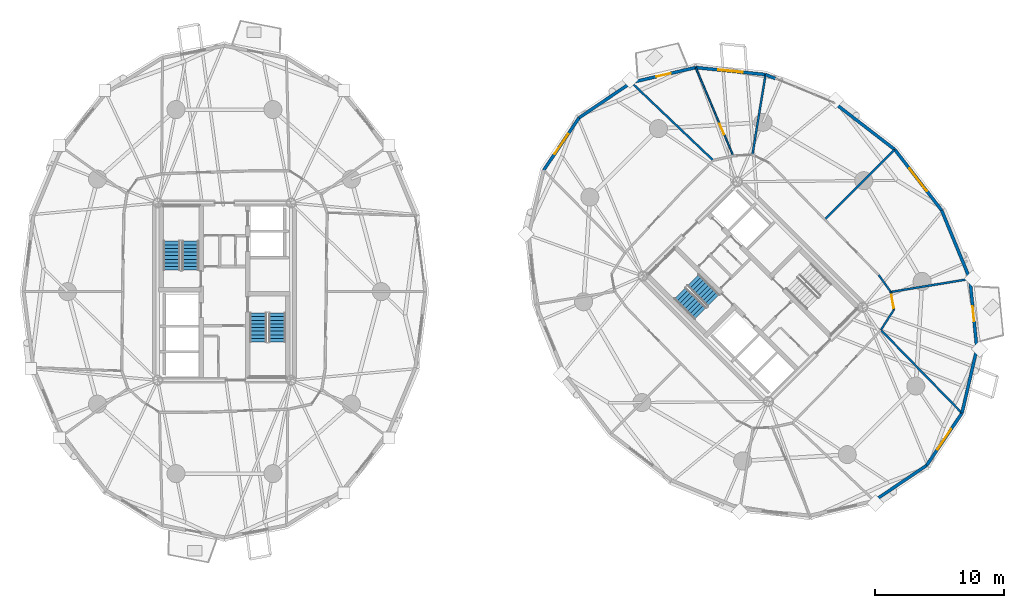
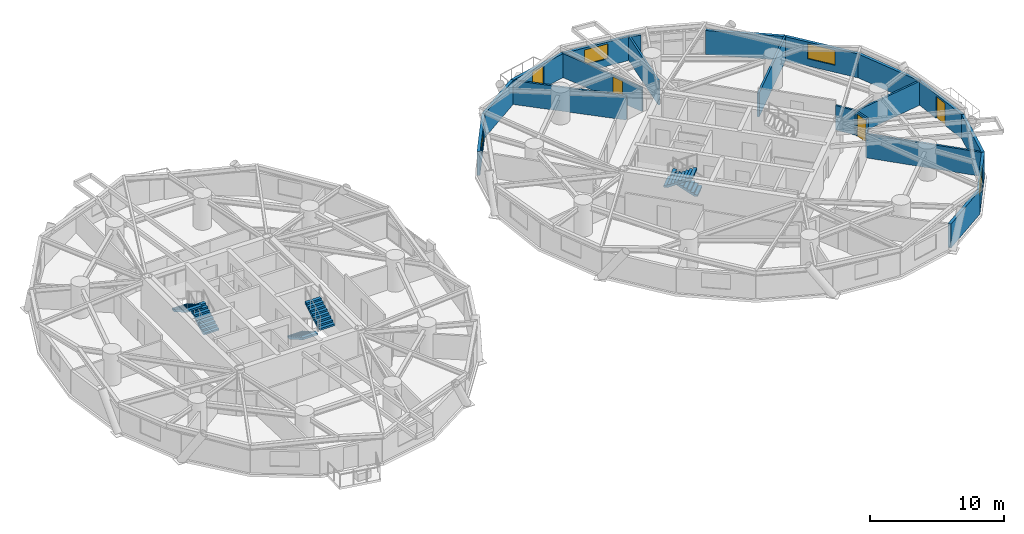
# One storey, part 15 of 19: 21 walls, 6 stair flights, 4 doors, 4 windows, 8 openings, 3 elements without a shape of their own.
"""IFC4 building model written with IfcOpenShell, lengths in metres."""

from ifc_helpers import new_model, si_unit, direction, frame, frame_2d, origin, place, context, subcontext, project, spatial, polyline, rectangle, outline, extrude, source, transform, mapped, material, layer, layer_set, type_object, element, fill, aggregate, save


model = new_model("IFC4")

# Units and contexts
model_context = context("Model", 3, precision=1e-05, world=origin(), true_north=direction((0.0, 1.0)))
body_context = subcontext(model_context, "Body", "Model", "MODEL_VIEW")
ifc_project = project(units=[si_unit("LENGTHUNIT", "METRE"), si_unit("AREAUNIT", "SQUARE_METRE"), si_unit("VOLUMEUNIT", "CUBIC_METRE"), si_unit("PLANEANGLEUNIT", "RADIAN"), si_unit("MASSUNIT", "GRAM", prefix="KILO")], contexts=[model_context])

# Site, building, storey
site_placement = place(None, origin())
site = spatial("IfcSite", under=ifc_project, at=site_placement, CompositionType="ELEMENT")
building_placement = place(site_placement, origin())
building = spatial("IfcBuilding", under=site, at=building_placement, Name="Cununo Teusaquillo Station Towers", CompositionType="ELEMENT")
storey_placement = place(building_placement, frame((0.0, 0.0, 84.699951171875)))
storey = spatial("IfcBuildingStorey", under=building, at=storey_placement, Name="L26", CompositionType="ELEMENT", Elevation=84.699951171875)

# Walls
ifc_material_1 = material(Name="Precast concrete C40/50", Category="concrete")
ifc_layer_1 = layer(ifc_material_1, 0.239990234375)
ifc_layer_set_1 = layer_set([ifc_layer_1], Name="Precast concrete C40/50")
wall_type_1 = type_object("IfcWallType", Name="WL-EXT-240", PredefinedType="SOLIDWALL", material=ifc_layer_set_1)
wall_1_placement = place(storey_placement, frame((63.811279296875, 39.145263671875, 0.0), z_axis=(0.0, 0.0, 1.0), x_axis=(0.791982052206, -0.61054437102, 0.0)))
element("IfcWall", 1, at=wall_1_placement, inside=storey, type_object=wall_type_1, Name="L26 Tower B Exterior Facade Wall C00", PredefinedType="SOLIDWALL", context=body_context, shape_type="SweptSolid", body=[
    extrude(rectangle(XDim=5.942138671875, YDim=0.239990234375, at=frame_2d((2.97119140625, 0.0))), origin(), (0.0, 0.0, 1.0), 2.178955078125),
])
wall_2_placement = place(storey_placement, frame((58.4873046875, 41.33935546875, 0.0), z_axis=(0.0, 0.0, 1.0), x_axis=(0.924556017656, -0.381046152345, 0.0)))
element("IfcWall", 2, at=wall_2_placement, inside=storey, type_object=wall_type_1, Name="L26 Tower B Column Pier Cladding Wall C01-PA", PredefinedType="SOLIDWALL", context=body_context, shape_type="SweptSolid", body=[
    extrude(rectangle(XDim=0.8701171875, YDim=0.239990234375, at=frame_2d((0.43505859375, 0.0))), origin(), (0.0, 0.0, 1.0), 2.178955078125),
])

# Wall, opening, window
wall_3_placement = place(storey_placement, frame((53.066650390625, 41.885009765625, 0.0), z_axis=(0.0, 0.0, 1.0), x_axis=(0.994971754311, -0.10015591906, 0.0)))
wall_3 = element("IfcWall", 3, at=wall_3_placement, inside=storey, type_object=wall_type_1, Name="L26 Tower B Exterior Facade Wall C02", PredefinedType="SOLIDWALL", context=body_context, shape_type="SweptSolid", body=[
    extrude(rectangle(XDim=5.447998046875, YDim=0.239990234375, at=frame_2d((2.72412109375, 0.0))), origin(), (0.0, 0.0, 1.0), 2.178955078125),
])
shared_shape_1 = source(origin(), body_context, "Body", "SweptSolid", [
    extrude(rectangle(XDim=1.89990234375, YDim=1.35009765625, at=frame_2d((0.949951171875, 0.675048828125))), frame((0.0, 0.1298828125, 0.0), z_axis=(0.0, -1.0, 0.0), x_axis=(1.0, 0.0, 0.0)), (0.0, 0.0, 1.0), 0.260009765625),
])
opening_1_placement = place(wall_3_placement, frame((1.77392578125, 0.0, 0.64990234375)))
opening_1 = element("IfcOpeningElement", 4, at=opening_1_placement, cuts=wall_3, Name="Opening WN-02", PredefinedType="OPENING", context=body_context, shape_type="MappedRepresentation", body=[
    mapped(shared_shape_1, transform((0.0, 0.0, 0.0), x_axis=(1.0, 0.0, 0.0), y_axis=(0.0, 1.0, 0.0), z_axis=(0.0, 0.0, 1.0), scale=1.0)),
])
ifc_material_2 = material(Name="Operable acoustic tinted low-E double glazing", Category="glass")
window_type_1 = type_object("IfcWindowType", Name="WIN-OPER-1900", PartitioningType="DOUBLE_PANEL_VERTICAL", PredefinedType="WINDOW", material=ifc_material_2)
shared_shape_2 = source(origin(), body_context, "Body", "SweptSolid", [
    extrude(rectangle(XDim=1.89990234375, YDim=1.35009765625, at=frame_2d((0.949951171875, 0.675048828125))), frame((0.0, 0.030029296875, 0.0), z_axis=(0.0, -1.0, 0.0), x_axis=(1.0, 0.0, 0.0)), (0.0, 0.0, 1.0), 0.06005859375),
])
window_1_placement = place(opening_1_placement, origin())
window_1 = element("IfcWindow", 5, at=window_1_placement, inside=storey, type_object=window_type_1, Name="L26 Tower B Facade Window C02", OverallHeight=1.35009765625, OverallWidth=1.89990234375, PartitioningType="DOUBLE_PANEL_VERTICAL", PredefinedType="WINDOW", context=body_context, shape_type="MappedRepresentation", body=[
    mapped(shared_shape_2, transform((0.0, 0.0, 0.0), x_axis=(1.0, 0.0, 0.0), y_axis=(0.0, 1.0, 0.0), z_axis=(0.0, 0.0, 1.0), scale=1.0)),
])
fill(opening_1, window_1)

# Wall, opening, door
wall_4_placement = place(storey_placement, frame((48.080078125, 40.72900390625, 0.0), z_axis=(0.0, 0.0, 1.0), x_axis=(0.974165631126, 0.225834725257, 0.0)))
wall_4 = element("IfcWall", 6, at=wall_4_placement, inside=storey, type_object=wall_type_1, Name="L26 Tower B Exterior Facade Wall C03", PredefinedType="SOLIDWALL", context=body_context, shape_type="SweptSolid", body=[
    extrude(rectangle(XDim=5.118896484375, YDim=0.239990234375, at=frame_2d((2.5595703125, 0.0))), origin(), (0.0, 0.0, 1.0), 2.178955078125),
])
shared_shape_3 = source(origin(), body_context, "Body", "SweptSolid", [
    extrude(rectangle(XDim=1.14990234375, YDim=2.0048828125, at=frame_2d((0.574951171875, 1.00244140625))), frame((0.0, 0.1298828125, 0.0), z_axis=(0.0, -1.0, 0.0), x_axis=(1.0, 0.0, 0.0)), (0.0, 0.0, 1.0), 0.260009765625),
])
opening_2_placement = place(wall_4_placement, frame((1.98388671875, 0.0, 0.0)))
opening_2 = element("IfcOpeningElement", 7, at=opening_2_placement, cuts=wall_4, Name="Opening ED-03", PredefinedType="OPENING", context=body_context, shape_type="MappedRepresentation", body=[
    mapped(shared_shape_3, transform((0.0, 0.0, 0.0), x_axis=(1.0, 0.0, 0.0), y_axis=(0.0, 1.0, 0.0), z_axis=(0.0, 0.0, 1.0), scale=1.0)),
])
ifc_material_3 = material(Name="Anodised dark bronze aluminium EN AW-6063-T6", Category="aluminium")
door_type_1 = type_object("IfcDoorType", Name="DR-EXT-BAL", OperationType="NOTDEFINED", PredefinedType="DOOR", material=ifc_material_3)
shared_shape_4 = source(origin(), body_context, "Body", "SweptSolid", [
    extrude(rectangle(XDim=1.14990234375, YDim=2.0048828125, at=frame_2d((0.574951171875, 1.00244140625))), frame((0.0, 0.02490234375, 0.0), z_axis=(0.0, -1.0, 0.0), x_axis=(1.0, 0.0, 0.0)), (0.0, 0.0, 1.0), 0.050048828125),
])
door_1_placement = place(opening_2_placement, origin())
door_1 = element("IfcDoor", 8, at=door_1_placement, inside=storey, type_object=door_type_1, Name="L26 Tower B Tree Balcony Door C03", OperationType="SINGLE_SWING_LEFT", OverallHeight=2.0048828125, OverallWidth=1.14990234375, PredefinedType="DOOR", context=body_context, shape_type="MappedRepresentation", body=[
    mapped(shared_shape_4, transform((0.0, 0.0, 0.0), x_axis=(1.0, 0.0, 0.0), y_axis=(0.0, 1.0, 0.0), z_axis=(0.0, 0.0, 1.0), scale=1.0)),
])
fill(opening_2, door_1)

# Wall
wall_5_placement = place(storey_placement, frame((44.015380859375, 37.984619140625, 0.0), z_axis=(0.0, 0.0, 1.0), x_axis=(0.828781148131, 0.559572880421, 0.0)))
element("IfcWall", 9, at=wall_5_placement, inside=storey, type_object=wall_type_1, Name="L26 Tower B Exterior Facade Wall C04", PredefinedType="SOLIDWALL", context=body_context, shape_type="SweptSolid", body=[
    extrude(rectangle(XDim=4.904541015625, YDim=0.239990234375, at=frame_2d((2.4521484375, 0.0))), origin(), (0.0, 0.0, 1.0), 2.178955078125),
])

# Wall, opening, window
wall_6_placement = place(storey_placement, frame((41.27099609375, 33.919921875, 0.0), z_axis=(0.0, 0.0, 1.0), x_axis=(0.559572880421, 0.828781148131, 0.0)))
wall_6 = element("IfcWall", 10, at=wall_6_placement, inside=storey, type_object=wall_type_1, Name="L26 Tower B Exterior Facade Wall C05", PredefinedType="SOLIDWALL", context=body_context, shape_type="SweptSolid", body=[
    extrude(rectangle(XDim=4.904541015625, YDim=0.239990234375, at=frame_2d((2.4521484375, 0.0))), origin(), (0.0, 0.0, 1.0), 2.178955078125),
])
opening_3_placement = place(wall_6_placement, frame((1.501953125, 0.0, 0.64990234375)))
opening_3 = element("IfcOpeningElement", 11, at=opening_3_placement, cuts=wall_6, Name="Opening WN-02", PredefinedType="OPENING", context=body_context, shape_type="MappedRepresentation", body=[
    mapped(shared_shape_1, transform((0.0, 0.0, 0.0), x_axis=(1.0, 0.0, 0.0), y_axis=(0.0, 1.0, 0.0), z_axis=(0.0, 0.0, 1.0), scale=1.0)),
])
window_2_placement = place(opening_3_placement, origin())
window_2 = element("IfcWindow", 12, at=window_2_placement, inside=storey, type_object=window_type_1, Name="L26 Tower B Facade Window C05", OverallHeight=1.35009765625, OverallWidth=1.89990234375, PartitioningType="DOUBLE_PANEL_VERTICAL", PredefinedType="WINDOW", context=body_context, shape_type="MappedRepresentation", body=[
    mapped(shared_shape_2, transform((0.0, 0.0, 0.0), x_axis=(1.0, 0.0, 0.0), y_axis=(0.0, 1.0, 0.0), z_axis=(0.0, 0.0, 1.0), scale=1.0)),
])
fill(opening_3, window_2)

# Wall
wall_7_placement = place(storey_placement, frame((70.984619140625, 11.015380859375, 0.0), z_axis=(0.0, 0.0, 1.0), x_axis=(-0.828781148131, -0.559572880421, 0.0)))
element("IfcWall", 13, at=wall_7_placement, inside=storey, type_object=wall_type_1, Name="L26 Tower B Exterior Facade Wall C14", PredefinedType="SOLIDWALL", context=body_context, shape_type="SweptSolid", body=[
    extrude(rectangle(XDim=4.904541015625, YDim=0.239990234375, at=frame_2d((2.4521484375, 0.0))), origin(), (0.0, 0.0, 1.0), 2.178955078125),
])

# Wall, opening, window
wall_8_placement = place(storey_placement, frame((73.72900390625, 15.080078125, 0.0), z_axis=(0.0, 0.0, 1.0), x_axis=(-0.559572880421, -0.828781148131, 0.0)))
wall_8 = element("IfcWall", 14, at=wall_8_placement, inside=storey, type_object=wall_type_1, Name="L26 Tower B Exterior Facade Wall C15", PredefinedType="SOLIDWALL", context=body_context, shape_type="SweptSolid", body=[
    extrude(rectangle(XDim=4.904541015625, YDim=0.239990234375, at=frame_2d((2.4521484375, 0.0))), origin(), (0.0, 0.0, 1.0), 2.178955078125),
])
opening_4_placement = place(wall_8_placement, frame((1.501953125, 0.0, 0.64990234375)))
opening_4 = element("IfcOpeningElement", 15, at=opening_4_placement, cuts=wall_8, Name="Opening WN-02", PredefinedType="OPENING", context=body_context, shape_type="MappedRepresentation", body=[
    mapped(shared_shape_1, transform((0.0, 0.0, 0.0), x_axis=(1.0, 0.0, 0.0), y_axis=(0.0, 1.0, 0.0), z_axis=(0.0, 0.0, 1.0), scale=1.0)),
])
window_3_placement = place(opening_4_placement, origin())
window_3 = element("IfcWindow", 16, at=window_3_placement, inside=storey, type_object=window_type_1, Name="L26 Tower B Facade Window C15", OverallHeight=1.35009765625, OverallWidth=1.89990234375, PartitioningType="DOUBLE_PANEL_VERTICAL", PredefinedType="WINDOW", context=body_context, shape_type="MappedRepresentation", body=[
    mapped(shared_shape_2, transform((0.0, 0.0, 0.0), x_axis=(1.0, 0.0, 0.0), y_axis=(0.0, 1.0, 0.0), z_axis=(0.0, 0.0, 1.0), scale=1.0)),
])
fill(opening_4, window_3)

# Wall
wall_9_placement = place(storey_placement, frame((74.885009765625, 20.066650390625, 0.0), z_axis=(0.0, 0.0, 1.0), x_axis=(-0.225834725257, -0.974165631126, 0.0)))
element("IfcWall", 17, at=wall_9_placement, inside=storey, type_object=wall_type_1, Name="L26 Tower B Exterior Facade Wall C16", PredefinedType="SOLIDWALL", context=body_context, shape_type="SweptSolid", body=[
    extrude(rectangle(XDim=5.118896484375, YDim=0.239990234375, at=frame_2d((2.5595703125, 0.0))), origin(), (0.0, 0.0, 1.0), 2.178955078125),
])

# Wall, opening, door
wall_10_placement = place(storey_placement, frame((74.33935546875, 25.4873046875, 0.0), z_axis=(0.0, 0.0, 1.0), x_axis=(0.10015591906, -0.994971754311, 0.0)))
wall_10 = element("IfcWall", 18, at=wall_10_placement, inside=storey, type_object=wall_type_1, Name="L26 Tower B Exterior Facade Wall C17", PredefinedType="SOLIDWALL", context=body_context, shape_type="SweptSolid", body=[
    extrude(rectangle(XDim=5.447998046875, YDim=0.239990234375, at=frame_2d((2.72412109375, 0.0))), origin(), (0.0, 0.0, 1.0), 2.178955078125),
])
opening_5_placement = place(wall_10_placement, frame((2.14892578125, 0.0, 0.0)))
opening_5 = element("IfcOpeningElement", 19, at=opening_5_placement, cuts=wall_10, Name="Opening ED-03", PredefinedType="OPENING", context=body_context, shape_type="MappedRepresentation", body=[
    mapped(shared_shape_3, transform((0.0, 0.0, 0.0), x_axis=(1.0, 0.0, 0.0), y_axis=(0.0, 1.0, 0.0), z_axis=(0.0, 0.0, 1.0), scale=1.0)),
])
door_2_placement = place(opening_5_placement, origin())
door_2 = element("IfcDoor", 20, at=door_2_placement, inside=storey, type_object=door_type_1, Name="L26 Tower B Tree Balcony Door C17", OperationType="SINGLE_SWING_LEFT", OverallHeight=2.0048828125, OverallWidth=1.14990234375, PredefinedType="DOOR", context=body_context, shape_type="MappedRepresentation", body=[
    mapped(shared_shape_4, transform((0.0, 0.0, 0.0), x_axis=(1.0, 0.0, 0.0), y_axis=(0.0, 1.0, 0.0), z_axis=(0.0, 0.0, 1.0), scale=1.0)),
])
fill(opening_5, door_2)

# Wall
wall_11_placement = place(storey_placement, frame((72.145263671875, 30.811279296875, 0.0), z_axis=(0.0, 0.0, 1.0), x_axis=(0.381027003055, -0.924563909604, 0.0)))
element("IfcWall", 21, at=wall_11_placement, inside=storey, type_object=wall_type_1, Name="L26 Tower B Exterior Facade Wall C18", PredefinedType="SOLIDWALL", context=body_context, shape_type="SweptSolid", body=[
    extrude(rectangle(XDim=5.75830078125, YDim=0.239990234375, at=frame_2d((2.879150390625, 0.0))), origin(), (0.0, 0.0, 1.0), 2.178955078125),
])

# Wall, opening, window
wall_12_placement = place(storey_placement, frame((68.517333984375, 35.517333984375, 0.0), z_axis=(0.0, 0.0, 1.0), x_axis=(0.61054437102, -0.791982052206, 0.0)))
wall_12 = element("IfcWall", 22, at=wall_12_placement, inside=storey, type_object=wall_type_1, Name="L26 Tower B Exterior Facade Wall C19", PredefinedType="SOLIDWALL", context=body_context, shape_type="SweptSolid", body=[
    extrude(rectangle(XDim=5.942138671875, YDim=0.239990234375, at=frame_2d((2.97119140625, 0.0))), origin(), (0.0, 0.0, 1.0), 2.178955078125),
])
shared_shape_5 = source(origin(), body_context, "Body", "SweptSolid", [
    extrude(rectangle(XDim=2.199951171875, YDim=1.35009765625, at=frame_2d((1.10009765625, 0.675048828125))), frame((0.0, 0.1298828125, 0.0), z_axis=(0.0, -1.0, 0.0), x_axis=(1.0, 0.0, 0.0)), (0.0, 0.0, 1.0), 0.260009765625),
])
opening_6_placement = place(wall_12_placement, frame((1.87109375, 0.0, 0.64990234375)))
opening_6 = element("IfcOpeningElement", 23, at=opening_6_placement, cuts=wall_12, Name="Opening WN-01", PredefinedType="OPENING", context=body_context, shape_type="MappedRepresentation", body=[
    mapped(shared_shape_5, transform((0.0, 0.0, 0.0), x_axis=(1.0, 0.0, 0.0), y_axis=(0.0, 1.0, 0.0), z_axis=(0.0, 0.0, 1.0), scale=1.0)),
])
ifc_material_4 = material(Name="Ceramic-fritted dark low-E double glazing", Category="glass")
window_type_2 = type_object("IfcWindowType", Name="WIN-FRIT-2200", PartitioningType="DOUBLE_PANEL_VERTICAL", PredefinedType="WINDOW", material=ifc_material_4)
shared_shape_6 = source(origin(), body_context, "Body", "SweptSolid", [
    extrude(rectangle(XDim=2.199951171875, YDim=1.35009765625, at=frame_2d((1.10009765625, 0.675048828125))), frame((0.0, 0.030029296875, 0.0), z_axis=(0.0, -1.0, 0.0), x_axis=(1.0, 0.0, 0.0)), (0.0, 0.0, 1.0), 0.06005859375),
])
window_4_placement = place(opening_6_placement, origin())
window_4 = element("IfcWindow", 24, at=window_4_placement, inside=storey, type_object=window_type_2, Name="L26 Tower B Facade Window C19", OverallHeight=1.35009765625, OverallWidth=2.199951171875, PartitioningType="DOUBLE_PANEL_VERTICAL", PredefinedType="WINDOW", context=body_context, shape_type="MappedRepresentation", body=[
    mapped(shared_shape_6, transform((0.0, 0.0, 0.0), x_axis=(1.0, 0.0, 0.0), y_axis=(0.0, 1.0, 0.0), z_axis=(0.0, 0.0, 1.0), scale=1.0)),
])
fill(opening_6, window_4)

# Wall, opening, door
ifc_material_5 = material(Name="Fire-rated gypsum plasterboard partition assembly", Category="gypsum")
ifc_layer_2 = layer(ifc_material_5, 0.125)
ifc_layer_set_2 = layer_set([ifc_layer_2], Name="Fire-rated gypsum plasterboard partition assembly")
wall_type_2 = type_object("IfcWallType", Name="WL-PART-125", PredefinedType="PARTITIONING", material=ifc_layer_set_2)
wall_13_placement = place(storey_placement, frame((55.98388671875, 35.035400390625, 0.0), z_axis=(0.0, 0.0, 1.0), x_axis=(-0.392438685048, 0.919778168081, 0.0)))
wall_13 = element("IfcWall", 25, at=wall_13_placement, inside=storey, type_object=wall_type_2, Name="L26 Tower B Legal Arbitration Hearing Room Suite Subdividing Wall", PredefinedType="PARTITIONING", context=body_context, shape_type="SweptSolid", body=[
    extrude(rectangle(XDim=7.425537109375, YDim=0.125, at=frame_2d((3.712890625, 0.0))), origin(), (0.0, 0.0, 1.0), 2.178955078125),
])
shared_shape_7 = source(origin(), body_context, "Body", "SweptSolid", [
    extrude(rectangle(XDim=0.89990234375, YDim=2.0048828125, at=frame_2d((0.449951171875, 1.00244140625))), frame((0.0, 0.072509765625, 0.0), z_axis=(0.0, -1.0, 0.0), x_axis=(1.0, 0.0, 0.0)), (0.0, 0.0, 1.0), 0.14501953125),
])
opening_7_placement = place(wall_13_placement, frame((1.800048828125, 0.0, 0.0)))
opening_7 = element("IfcOpeningElement", 26, at=opening_7_placement, cuts=wall_13, Name="Opening D-IN1", PredefinedType="OPENING", context=body_context, shape_type="MappedRepresentation", body=[
    mapped(shared_shape_7, transform((0.0, 0.0, 0.0), x_axis=(1.0, 0.0, 0.0), y_axis=(0.0, 1.0, 0.0), z_axis=(0.0, 0.0, 1.0), scale=1.0)),
])
ifc_material_6 = material(Name="Acoustic solid-core hardwood leaf assembly", Category="wood")
door_type_2 = type_object("IfcDoorType", Name="DR-INT-900", OperationType="NOTDEFINED", PredefinedType="DOOR", material=ifc_material_6)
shared_shape_8 = source(origin(), body_context, "Body", "SweptSolid", [
    extrude(rectangle(XDim=0.89990234375, YDim=2.0048828125, at=frame_2d((0.449951171875, 1.00244140625))), frame((0.0, 0.02490234375, 0.0), z_axis=(0.0, -1.0, 0.0), x_axis=(1.0, 0.0, 0.0)), (0.0, 0.0, 1.0), 0.050048828125),
])
door_3_placement = place(opening_7_placement, origin())
door_3 = element("IfcDoor", 27, at=door_3_placement, inside=storey, type_object=door_type_2, Name="L26 Tower B Legal Arbitration Hearing Room Suite Connecting Door", OperationType="SINGLE_SWING_RIGHT", OverallHeight=2.0048828125, OverallWidth=0.89990234375, PredefinedType="DOOR", context=body_context, shape_type="MappedRepresentation", body=[
    mapped(shared_shape_8, transform((0.0, 0.0, 0.0), x_axis=(1.0, 0.0, 0.0), y_axis=(0.0, 1.0, 0.0), z_axis=(0.0, 0.0, 1.0), scale=1.0)),
])
fill(opening_7, door_3)

# Wall
ifc_material_7 = material(Name="Fire-rated gypsum plasterboard partition assembly", Category="gypsum")
ifc_layer_3 = layer(ifc_material_7, 0.14990234375)
ifc_layer_set_3 = layer_set([ifc_layer_3], Name="Fire-rated gypsum plasterboard partition assembly")
wall_type_3 = type_object("IfcWallType", Name="WL-PART-150", PredefinedType="PARTITIONING", material=ifc_layer_set_3)
wall_14_placement = place(storey_placement, frame((67.4345703125, 21.521484375, 0.0), z_axis=(0.0, 0.0, 1.0), x_axis=(0.540777197838, 0.841165870859, 0.0)))
element("IfcWall", 28, at=wall_14_placement, inside=storey, type_object=wall_type_3, Name="L26 Tower B Corridor Ring Wall C16", PredefinedType="PARTITIONING", context=body_context, shape_type="SweptSolid", body=[
    extrude(rectangle(XDim=1.887939453125, YDim=0.14990234375, at=frame_2d((0.94384765625, 0.0))), origin(), (0.0, 0.0, 1.0), 2.22509765625),
])

# Wall, opening, door
wall_15_placement = place(storey_placement, frame((68.45556640625, 23.109619140625, 0.0), z_axis=(0.0, 0.0, 1.0), x_axis=(-0.1772522795, 0.984165448191, 0.0)))
wall_15 = element("IfcWall", 29, at=wall_15_placement, inside=storey, type_object=wall_type_3, Name="L26 Tower B Corridor Ring Wall C17", PredefinedType="PARTITIONING", context=body_context, shape_type="SweptSolid", body=[
    extrude(rectangle(XDim=1.381591796875, YDim=0.14990234375, at=frame_2d((0.69091796875, 0.0))), origin(), (0.0, 0.0, 1.0), 2.22509765625),
])
shared_shape_9 = source(origin(), body_context, "Body", "SweptSolid", [
    extrude(rectangle(XDim=1.050048828125, YDim=2.014892578125, at=frame_2d((0.52490234375, 1.00732421875))), frame((0.0, 0.0849609375, 0.0), z_axis=(0.0, -1.0, 0.0), x_axis=(1.0, 0.0, 0.0)), (0.0, 0.0, 1.0), 0.169921875),
])
opening_8_placement = place(wall_15_placement, frame((0.1201171875, 0.0, 0.0)))
opening_8 = element("IfcOpeningElement", 30, at=opening_8_placement, cuts=wall_15, Name="Opening D-SU1", PredefinedType="OPENING", context=body_context, shape_type="MappedRepresentation", body=[
    mapped(shared_shape_9, transform((0.0, 0.0, 0.0), x_axis=(1.0, 0.0, 0.0), y_axis=(0.0, 1.0, 0.0), z_axis=(0.0, 0.0, 1.0), scale=1.0)),
])
ifc_material_8 = material(Name="Acoustic solid-core hardwood leaf assembly", Category="wood")
door_type_3 = type_object("IfcDoorType", Name="DR-SUITE-1050", OperationType="NOTDEFINED", PredefinedType="DOOR", material=ifc_material_8)
shared_shape_10 = source(origin(), body_context, "Body", "SweptSolid", [
    extrude(rectangle(XDim=1.050048828125, YDim=2.014892578125, at=frame_2d((0.52490234375, 1.00732421875))), frame((0.0, 0.02490234375, 0.0), z_axis=(0.0, -1.0, 0.0), x_axis=(1.0, 0.0, 0.0)), (0.0, 0.0, 1.0), 0.050048828125),
])
door_4_placement = place(opening_8_placement, origin())
door_4 = element("IfcDoor", 31, at=door_4_placement, inside=storey, type_object=door_type_3, Name="L26 Tower B Document Archive & Server Room Entrance Door", OperationType="SINGLE_SWING_RIGHT", OverallHeight=2.014892578125, OverallWidth=1.050048828125, PredefinedType="DOOR", context=body_context, shape_type="MappedRepresentation", body=[
    mapped(shared_shape_10, transform((0.0, 0.0, 0.0), x_axis=(1.0, 0.0, 0.0), y_axis=(0.0, 1.0, 0.0), z_axis=(0.0, 0.0, 1.0), scale=1.0)),
])
fill(opening_8, door_4)

# Walls
wall_16_placement = place(storey_placement, frame((68.210693359375, 24.46923828125, 0.0), z_axis=(0.0, 0.0, 1.0), x_axis=(-0.583012141368, 0.812463441034, 0.0)))
element("IfcWall", 32, at=wall_16_placement, inside=storey, type_object=wall_type_3, Name="L26 Tower B Corridor Ring Wall C18", PredefinedType="PARTITIONING", context=body_context, shape_type="SweptSolid", body=[
    extrude(rectangle(XDim=1.613037109375, YDim=0.14990234375, at=frame_2d((0.806640625, 0.0))), origin(), (0.0, 0.0, 1.0), 2.22509765625),
])
ifc_material_9 = material(Name="Fire-rated gypsum plasterboard partition assembly", Category="gypsum")
ifc_layer_4 = layer(ifc_material_9, 0.159912109375)
ifc_layer_set_4 = layer_set([ifc_layer_4], Name="Fire-rated gypsum plasterboard partition assembly")
wall_type_4 = type_object("IfcWallType", Name="WL-PART-160", PredefinedType="PARTITIONING", material=ifc_layer_set_4)
wall_17_placement = place(storey_placement, frame((63.086181640625, 30.086181640625, 0.0), z_axis=(0.0, 0.0, 1.0), x_axis=(0.707106781187, 0.707106781187, 0.0)))
element("IfcWall", 33, at=wall_17_placement, inside=storey, type_object=wall_type_4, Name="L26 Tower B Radial Suite Partition R01", PredefinedType="PARTITIONING", context=body_context, shape_type="SweptSolid", body=[
    extrude(rectangle(XDim=7.6611328125, YDim=0.159912109375, at=frame_2d((3.83056640625, 0.0))), origin(), (0.0, 0.0, 1.0), 2.178955078125),
])
wall_18_placement = place(storey_placement, frame((57.466796875, 35.111328125, 0.0), z_axis=(0.0, 0.0, 1.0), x_axis=(0.161711214096, 0.98683812413, 0.0)))
element("IfcWall", 34, at=wall_18_placement, inside=storey, type_object=wall_type_4, Name="L26 Tower B Radial Suite Partition R02", PredefinedType="PARTITIONING", context=body_context, shape_type="SweptSolid", body=[
    extrude(rectangle(XDim=6.291015625, YDim=0.159912109375, at=frame_2d((3.1455078125, 0.0))), origin(), (0.0, 0.0, 1.0), 2.178955078125),
])
wall_19_placement = place(storey_placement, frame((54.426513671875, 34.6826171875, 0.0), z_axis=(0.0, 0.0, 1.0), x_axis=(-0.72454072322, 0.689231993161, 0.0)))
element("IfcWall", 35, at=wall_19_placement, inside=storey, type_object=wall_type_4, Name="L26 Tower B Radial Suite Partition R03", PredefinedType="PARTITIONING", context=body_context, shape_type="SweptSolid", body=[
    extrude(rectangle(XDim=8.746826171875, YDim=0.159912109375, at=frame_2d((4.37353515625, 0.0))), origin(), (0.0, 0.0, 1.0), 2.178955078125),
])
wall_20_placement = place(storey_placement, frame((67.4345703125, 21.521484375, 0.0), z_axis=(0.0, 0.0, 1.0), x_axis=(0.6983880073, -0.715719352302, 0.0)))
element("IfcWall", 36, at=wall_20_placement, inside=storey, type_object=wall_type_4, Name="L26 Tower B Radial Suite Partition R09", PredefinedType="PARTITIONING", context=body_context, shape_type="SweptSolid", body=[
    extrude(rectangle(XDim=8.9873046875, YDim=0.159912109375, at=frame_2d((4.49365234375, 0.0))), origin(), (0.0, 0.0, 1.0), 2.178955078125),
])
wall_21_placement = place(storey_placement, frame((68.210693359375, 24.46923828125, 0.0), z_axis=(0.0, 0.0, 1.0), x_axis=(0.986479033329, 0.163887512651, 0.0)))
element("IfcWall", 37, at=wall_21_placement, inside=storey, type_object=wall_type_4, Name="L26 Tower B Radial Suite Partition R10", PredefinedType="PARTITIONING", context=body_context, shape_type="SweptSolid", body=[
    extrude(rectangle(XDim=6.192626953125, YDim=0.159912109375, at=frame_2d((3.09619140625, 0.0))), origin(), (0.0, 0.0, 1.0), 2.178955078125),
])

# Stair, stair flights
ifc_material_10 = material(Name="Concrete C50/60", Category="concrete")
stair_type = type_object("IfcStairType", Name="ST-TWR-1300", PredefinedType="HALF_TURN_STAIR", material=ifc_material_10)
stair_1_placement = place(storey_placement, origin())
stair_1 = element("IfcStair", 38, at=stair_1_placement, inside=storey, type_object=stair_type, Name="L26 Tower A Protected Core Exit Stair 1", PredefinedType="HALF_TURN_STAIR")
ifc_material_11 = material(Name="Concrete C50/60", Category="concrete")
stair_flight_type = type_object("IfcStairFlightType", Name="SFL-TWR-1300", PredefinedType="STRAIGHT", material=ifc_material_11)
stair_flight_1_placement = place(storey_placement, frame((13.8701171875, 26.169921875, 0.0), z_axis=(0.0, 0.0, 1.0), x_axis=(0.0, 1.0, 0.0)))
stair_flight_1 = element("IfcStairFlight", 39, at=stair_flight_1_placement, type_object=stair_flight_type, Name="ST-T1-1 flight 1", NumberOfRisers=9, NumberOfTreads=8, PredefinedType="STRAIGHT", RiserHeight=0.161666667, TreadLength=0.28, context=body_context, shape_type="SweptSolid", body=[
    extrude(outline(polyline([(0.0, 0.0), (0.0, 0.16162109375), (0.280029296875, 0.16162109375), (0.280029296875, 0.3232421875), (0.56005859375, 0.3232421875), (0.56005859375, 0.485107421875), (0.840087890625, 0.485107421875), (0.840087890625, 0.646728515625), (1.1201171875, 0.646728515625), (1.1201171875, 0.808349609375), (1.39990234375, 0.808349609375), (1.39990234375, 0.969970703125), (1.679931640625, 0.969970703125), (1.679931640625, 1.131591796875), (1.9599609375, 1.131591796875), (1.9599609375, 1.293212890625), (2.239990234375, 1.293212890625), (2.239990234375, 1.455078125), (2.239990234375, 1.1201171875), (0.2998046875, 0.0), (0.0, 0.0)])), frame((0.0, 0.64990234375, 0.0), z_axis=(0.0, -1.0, 0.0), x_axis=(1.0, 0.0, 0.0)), (0.0, 0.0, 1.0), 1.300048828125),
])
stair_flight_2_placement = place(storey_placement, frame((12.409912109375, 28.409912109375, 1.455078125), z_axis=(0.0, 0.0, 1.0), x_axis=(0.0, -1.0, 0.0)))
stair_flight_2 = element("IfcStairFlight", 40, at=stair_flight_2_placement, type_object=stair_flight_type, Name="ST-T1-1 flight 2", NumberOfRisers=9, NumberOfTreads=8, PredefinedType="STRAIGHT", RiserHeight=0.161666667, TreadLength=0.28, context=body_context, shape_type="SweptSolid", body=[
    extrude(outline(polyline([(0.0, 0.0), (0.0, 0.16162109375), (0.280029296875, 0.16162109375), (0.280029296875, 0.3232421875), (0.56005859375, 0.3232421875), (0.56005859375, 0.485107421875), (0.840087890625, 0.485107421875), (0.840087890625, 0.646728515625), (1.1201171875, 0.646728515625), (1.1201171875, 0.808349609375), (1.39990234375, 0.808349609375), (1.39990234375, 0.969970703125), (1.679931640625, 0.969970703125), (1.679931640625, 1.131591796875), (1.9599609375, 1.131591796875), (1.9599609375, 1.293212890625), (2.239990234375, 1.293212890625), (2.239990234375, 1.455078125), (2.239990234375, 1.1201171875), (0.2998046875, 0.0), (0.0, 0.0)])), frame((0.0, 0.64990234375, 0.0), z_axis=(0.0, -1.0, 0.0), x_axis=(1.0, 0.0, 0.0)), (0.0, 0.0, 1.0), 1.300048828125),
])
aggregate(stair_1, [stair_flight_1, stair_flight_2])

stair_2_placement = place(storey_placement, origin())
stair_2 = element("IfcStair", 41, at=stair_2_placement, inside=storey, type_object=stair_type, Name="L26 Tower A Protected Core Exit Stair 2", PredefinedType="HALF_TURN_STAIR")
stair_flight_3_placement = place(storey_placement, frame((19.1298828125, 22.830078125, 0.0), z_axis=(0.0, 0.0, 1.0), x_axis=(0.0, -1.0, 0.0)))
stair_flight_3 = element("IfcStairFlight", 42, at=stair_flight_3_placement, type_object=stair_flight_type, Name="ST-T1-2 flight 1", NumberOfRisers=9, NumberOfTreads=8, PredefinedType="STRAIGHT", RiserHeight=0.161666667, TreadLength=0.28, context=body_context, shape_type="SweptSolid", body=[
    extrude(outline(polyline([(0.0, 0.0), (0.0, 0.16162109375), (0.280029296875, 0.16162109375), (0.280029296875, 0.3232421875), (0.56005859375, 0.3232421875), (0.56005859375, 0.485107421875), (0.840087890625, 0.485107421875), (0.840087890625, 0.646728515625), (1.1201171875, 0.646728515625), (1.1201171875, 0.808349609375), (1.39990234375, 0.808349609375), (1.39990234375, 0.969970703125), (1.679931640625, 0.969970703125), (1.679931640625, 1.131591796875), (1.9599609375, 1.131591796875), (1.9599609375, 1.293212890625), (2.239990234375, 1.293212890625), (2.239990234375, 1.455078125), (2.239990234375, 1.1201171875), (0.2998046875, 0.0), (0.0, 0.0)])), frame((0.0, 0.64990234375, 0.0), z_axis=(0.0, -1.0, 0.0), x_axis=(1.0, 0.0, 0.0)), (0.0, 0.0, 1.0), 1.300048828125),
])
stair_flight_4_placement = place(storey_placement, frame((20.590087890625, 20.590087890625, 1.455078125), z_axis=(0.0, 0.0, 1.0), x_axis=(0.0, 1.0, 0.0)))
stair_flight_4 = element("IfcStairFlight", 43, at=stair_flight_4_placement, type_object=stair_flight_type, Name="ST-T1-2 flight 2", NumberOfRisers=9, NumberOfTreads=8, PredefinedType="STRAIGHT", RiserHeight=0.161666667, TreadLength=0.28, context=body_context, shape_type="SweptSolid", body=[
    extrude(outline(polyline([(0.0, 0.0), (0.0, 0.16162109375), (0.280029296875, 0.16162109375), (0.280029296875, 0.3232421875), (0.56005859375, 0.3232421875), (0.56005859375, 0.485107421875), (0.840087890625, 0.485107421875), (0.840087890625, 0.646728515625), (1.1201171875, 0.646728515625), (1.1201171875, 0.808349609375), (1.39990234375, 0.808349609375), (1.39990234375, 0.969970703125), (1.679931640625, 0.969970703125), (1.679931640625, 1.131591796875), (1.9599609375, 1.131591796875), (1.9599609375, 1.293212890625), (2.239990234375, 1.293212890625), (2.239990234375, 1.455078125), (2.239990234375, 1.1201171875), (0.2998046875, 0.0), (0.0, 0.0)])), frame((0.0, 0.64990234375, 0.0), z_axis=(0.0, -1.0, 0.0), x_axis=(1.0, 0.0, 0.0)), (0.0, 0.0, 1.0), 1.300048828125),
])
aggregate(stair_2, [stair_flight_3, stair_flight_4])

stair_3_placement = place(storey_placement, origin())
stair_3 = element("IfcStair", 44, at=stair_3_placement, inside=storey, type_object=stair_type, Name="L26 Tower B Protected Core Exit Stair 1", PredefinedType="HALF_TURN_STAIR")
stair_flight_5_placement = place(storey_placement, frame((54.45947265625, 23.8212890625, 0.0), z_axis=(0.0, 0.0, 1.0), x_axis=(-0.707106781187, 0.707106781187, 0.0)))
stair_flight_5 = element("IfcStairFlight", 45, at=stair_flight_5_placement, type_object=stair_flight_type, Name="ST-T2-1 flight 1", NumberOfRisers=9, NumberOfTreads=8, PredefinedType="STRAIGHT", RiserHeight=0.161666667, TreadLength=0.28, context=body_context, shape_type="SweptSolid", body=[
    extrude(outline(polyline([(0.0, 0.0), (0.0, 0.16162109375), (0.280029296875, 0.16162109375), (0.280029296875, 0.3232421875), (0.56005859375, 0.3232421875), (0.56005859375, 0.485107421875), (0.840087890625, 0.485107421875), (0.840087890625, 0.646728515625), (1.1201171875, 0.646728515625), (1.1201171875, 0.808349609375), (1.39990234375, 0.808349609375), (1.39990234375, 0.969970703125), (1.679931640625, 0.969970703125), (1.679931640625, 1.131591796875), (1.9599609375, 1.131591796875), (1.9599609375, 1.293212890625), (2.239990234375, 1.293212890625), (2.239990234375, 1.455078125), (2.239990234375, 1.1201171875), (0.2998046875, 0.0), (0.0, 0.0)])), frame((0.0, 0.64990234375, 0.0), z_axis=(0.0, -1.0, 0.0), x_axis=(1.0, 0.0, 0.0)), (0.0, 0.0, 1.0), 1.300048828125),
])
stair_flight_6_placement = place(storey_placement, frame((51.84326171875, 24.372802734375, 1.455078125), z_axis=(0.0, 0.0, 1.0), x_axis=(0.707106781187, -0.707106781187, 0.0)))
stair_flight_6 = element("IfcStairFlight", 46, at=stair_flight_6_placement, type_object=stair_flight_type, Name="ST-T2-1 flight 2", NumberOfRisers=9, NumberOfTreads=8, PredefinedType="STRAIGHT", RiserHeight=0.161666667, TreadLength=0.28, context=body_context, shape_type="SweptSolid", body=[
    extrude(outline(polyline([(0.0, 0.0), (0.0, 0.16162109375), (0.280029296875, 0.16162109375), (0.280029296875, 0.3232421875), (0.56005859375, 0.3232421875), (0.56005859375, 0.485107421875), (0.840087890625, 0.485107421875), (0.840087890625, 0.646728515625), (1.1201171875, 0.646728515625), (1.1201171875, 0.808349609375), (1.39990234375, 0.808349609375), (1.39990234375, 0.969970703125), (1.679931640625, 0.969970703125), (1.679931640625, 1.131591796875), (1.9599609375, 1.131591796875), (1.9599609375, 1.293212890625), (2.239990234375, 1.293212890625), (2.239990234375, 1.455078125), (2.239990234375, 1.1201171875), (0.2998046875, 0.0), (0.0, 0.0)])), frame((0.0, 0.64990234375, 0.0), z_axis=(0.0, -1.0, 0.0), x_axis=(1.0, 0.0, 0.0)), (0.0, 0.0, 1.0), 1.300048828125),
])
aggregate(stair_3, [stair_flight_5, stair_flight_6])

save(model, "model.ifc")
